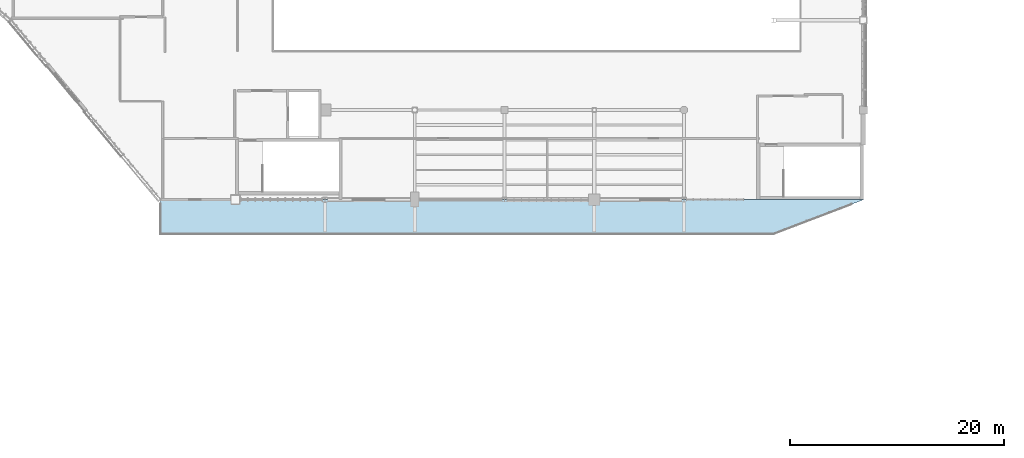
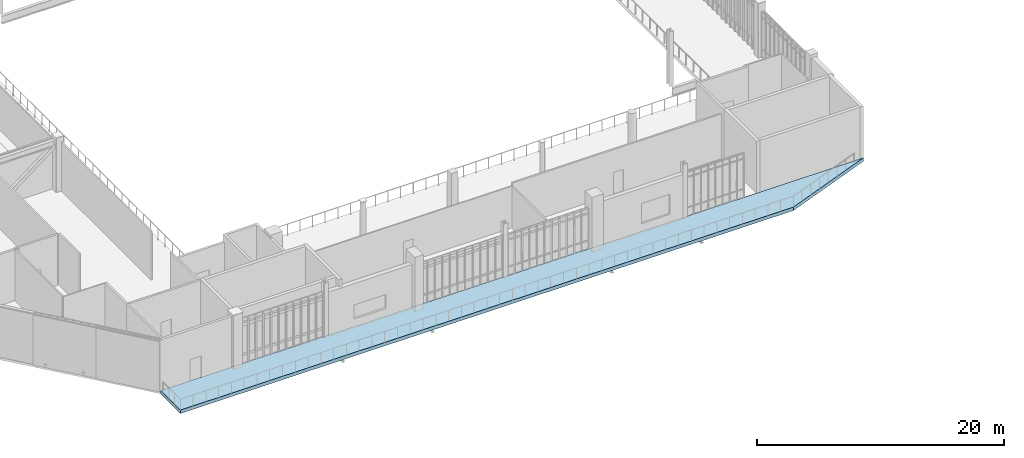
# One storey, part 72 of 135: 1 slab.
"""IFC4 building model written with IfcOpenShell, lengths in metres."""

from ifc_helpers import new_model, si_unit, direction, frame, origin, place, context, subcontext, project, spatial, polyline, outline, extrude, material, layer, layer_set, type_object, element, save


model = new_model("IFC4")

# Units and contexts
model_context = context("Model", 3, precision=1e-05, world=origin(), true_north=direction((0.0, 1.0)))
body_context = subcontext(model_context, "Body", "Model", "MODEL_VIEW")
ifc_project = project(units=[si_unit("LENGTHUNIT", "METRE"), si_unit("AREAUNIT", "SQUARE_METRE"), si_unit("VOLUMEUNIT", "CUBIC_METRE"), si_unit("PLANEANGLEUNIT", "RADIAN"), si_unit("MASSUNIT", "GRAM", prefix="KILO")], contexts=[model_context])

# Site, building, storey
site_placement = place(None, origin())
site = spatial("IfcSite", under=ifc_project, at=site_placement, CompositionType="ELEMENT")
building_placement = place(site_placement, origin())
building = spatial("IfcBuilding", under=site, at=building_placement, Name="Larkvane Passage Sports Hall", CompositionType="ELEMENT")
storey_placement = place(building_placement, frame((0.0, 0.0, 16.800048828125)))
storey = spatial("IfcBuildingStorey", under=building, at=storey_placement, Name="L03", CompositionType="ELEMENT", Elevation=16.800048828125)

# Slab
ifc_material = material(Name="Concrete C40/50", Category="concrete")
ifc_layer = layer(ifc_material, 0.340087890625)
ifc_layer_set = layer_set([ifc_layer], Name="Concrete C40/50")
slab_type = type_object("IfcSlabType", Name="SLB-TER-195", PredefinedType="FLOOR", material=ifc_layer_set)
slab_placement = place(storey_placement, frame((0.0, 0.0, -0.340087890625)))
element("IfcSlab", 1, at=slab_placement, inside=storey, type_object=slab_type, Name="Exterior terrace deck SLAB-EXT-L03-COURT", PredefinedType="FLOOR", context=body_context, shape_type="SweptSolid", body=[
    extrude(outline(polyline([(27.800048828125, 19.60009765625), (85.199951171875, 19.60009765625), (93.60009765625, 22.800048828125), (27.800048828125, 22.800048828125), (27.800048828125, 19.60009765625)])), origin(), (0.0, 0.0, 1.0), 0.340087890625),
])

save(model, "model.ifc")
